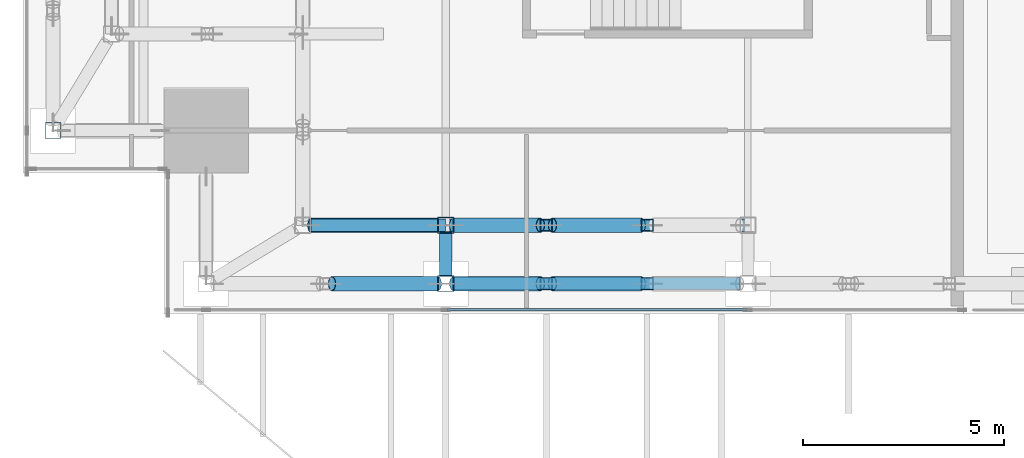
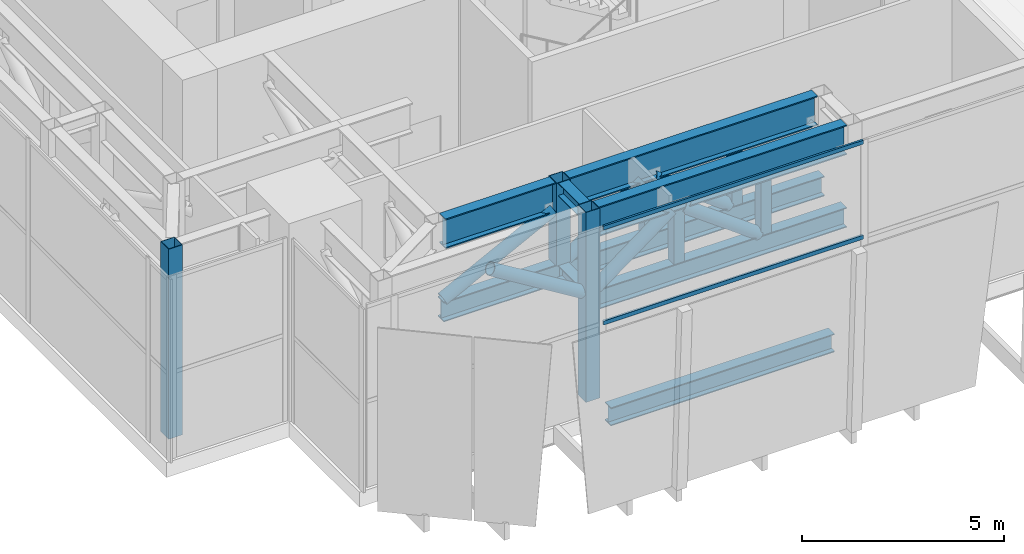
# One storey, part 3 of 47: 21 members, 3 beams, 1 element without a shape of its own.
"""IFC4 building model written with IfcOpenShell, lengths in metres."""

from ifc_helpers import new_model, si_unit, direction, frame, origin, origin_2d, place, context, subcontext, project, spatial, hollow_rectangle, hollow_circle, i_section, extrude, source, transform, mapped, material, material_profile, profile_set, type_object, element, aggregate, save


model = new_model("IFC4")

# Units and contexts
model_context = context("Model", 3, precision=1e-05, world=origin(), true_north=direction((0.0, 1.0)))
body_context = subcontext(model_context, "Body", "Model", "MODEL_VIEW")
ifc_project = project(units=[si_unit("LENGTHUNIT", "METRE"), si_unit("AREAUNIT", "SQUARE_METRE"), si_unit("VOLUMEUNIT", "CUBIC_METRE"), si_unit("PLANEANGLEUNIT", "RADIAN"), si_unit("MASSUNIT", "GRAM", prefix="KILO")], contexts=[model_context])

# Site, building, storey
site_placement = place(None, origin())
site = spatial("IfcSite", under=ifc_project, at=site_placement, CompositionType="ELEMENT")
building_placement = place(site_placement, origin())
building = spatial("IfcBuilding", under=site, at=building_placement, Name="Khomas Fold Tower", CompositionType="ELEMENT")
storey_placement = place(building_placement, frame((0.0, 0.0, 158.699951171875)))
storey = spatial("IfcBuildingStorey", under=building, at=storey_placement, Name="L34", CompositionType="ELEMENT", Elevation=158.699951171875)

# Beam
ifc_material_1 = material(Name="Steel S355", Category="steel")
ifc_material_profile_1 = material_profile(ifc_material_1, i_section(OverallWidth=0.300048828125, OverallDepth=0.550048828125, WebThickness=0.014892578125, FlangeThickness=0.029052734375, at=origin_2d()), Name="HE 550 B")
ifc_profile_set_1 = profile_set([ifc_material_profile_1], Name="Steel S355")
beam_type_1 = type_object("IfcBeamType", Name="HE 550 B spandrel SB2", PredefinedType="SPANDREL", material=ifc_profile_set_1)
shared_shape_1 = source(origin(), body_context, "Body", "SweptSolid", [
    extrude(i_section(OverallWidth=0.300048828125, OverallDepth=0.550048828125, WebThickness=0.014892578125, FlangeThickness=0.029052734375, at=origin_2d()), origin(), (0.0, 0.0, 1.0), 6.39990234375),
])
beam_1_placement = place(storey_placement, frame((12.550048828125, 2.25, -0.724853515625), z_axis=(1.0, 0.0, 0.0), x_axis=(0.0, 1.0, 0.0)))
element("IfcBeam", 1, at=beam_1_placement, inside=storey, type_object=beam_type_1, Name="SB2", PredefinedType="SPANDREL", context=body_context, shape_type="MappedRepresentation", body=[
    mapped(shared_shape_1, transform((0.0, 0.0, 0.0))),
])

# Members
ifc_material_2 = material(Name="Steel S355", Category="steel")
ifc_material_profile_2 = material_profile(ifc_material_2, hollow_circle(Radius=0.177734375, WallThickness=0.01611328125, at=origin_2d()), Name="CHS 355.6x16")
ifc_profile_set_2 = profile_set([ifc_material_profile_2], Name="Steel S355")
member_type_1 = type_object("IfcMemberType", Name="BELT TRUSS 2 DIAGONAL CHS 355.6x16", PredefinedType="BRACE", material=ifc_profile_set_2)
shared_shape_2 = source(origin(), body_context, "Body", "SweptSolid", [
    extrude(hollow_circle(Radius=0.177734375, WallThickness=0.01611328125, at=origin_2d()), origin(), (0.0, 0.0, 1.0), 3.079345703125),
])
member_1_placement = place(storey_placement, frame((9.175048828125, 2.25, 4.85498046875), z_axis=(0.852457646083, 0.0, -0.522796290762), x_axis=(0.0, 1.0, 0.0)))
element("IfcMember", 2, at=member_1_placement, inside=storey, type_object=member_type_1, Name="BT2-D", PredefinedType="BRACE", context=body_context, shape_type="MappedRepresentation", body=[
    mapped(shared_shape_2, transform((0.0, 0.0, 0.0))),
])
ifc_material_3 = material(Name="Steel S355", Category="steel")
ifc_material_profile_3 = material_profile(ifc_material_3, hollow_rectangle(XDim=0.300048828125, YDim=0.300048828125, WallThickness=0.012451171875, at=origin_2d()), Name="SHS 300x300x12.5")
ifc_profile_set_3 = profile_set([ifc_material_profile_3], Name="Steel S355")
member_type_2 = type_object("IfcMemberType", Name="BELT TRUSS 2 MID POST SHS 300x300x12.5", PredefinedType="POST", material=ifc_profile_set_3)
shared_shape_3 = source(origin(), body_context, "Body", "SweptSolid", [
    extrude(hollow_rectangle(XDim=0.300048828125, YDim=0.300048828125, WallThickness=0.012451171875, at=origin_2d()), origin(), (0.0, 0.0, 1.0), 1.60009765625),
])
for number, where, z_axis, x_axis, name in (
    (3, (14.5, 2.25, 3.25), (0.0, 0.0, 1.0), (1.0, 0.0, 0.0), "BT2-M"),
    (4, (17.0, 2.25, 3.25), (0.0, 0.0, 1.0), (1.0, 0.0, 0.0), "BT2-M"),
    (5, (14.5, 3.699951171875, 3.25), (0.0, 0.0, 1.0), (1.0, 0.0, 0.0), "BT2-M"),
    (6, (17.0, 3.699951171875, 3.25), (0.0, 0.0, 1.0), (1.0, 0.0, 0.0), "BT2-M"),
):
    element("IfcMember", number, at=place(storey_placement, frame(where, z_axis=z_axis, x_axis=x_axis)), inside=storey, type_object=member_type_2, Name=name, PredefinedType="POST", context=body_context, shape_type="MappedRepresentation", body=[
        mapped(shared_shape_3, transform((0.0, 0.0, 0.0))),
    ])
ifc_material_4 = material(Name="Steel S460M", Category="steel")
ifc_material_profile_4 = material_profile(ifc_material_4, i_section(OverallWidth=0.300048828125, OverallDepth=0.89990234375, WebThickness=0.0185546875, FlangeThickness=0.034912109375, at=origin_2d()), Name="HE 900 B")
ifc_profile_set_4 = profile_set([ifc_material_profile_4], Name="Steel S460M")
member_type_3 = type_object("IfcMemberType", Name="BELT TRUSS 2 TOP CHORD HE 900 B", PredefinedType="CHORD", material=ifc_profile_set_4)
shared_shape_4 = source(origin(), body_context, "Body", "SweptSolid", [
    extrude(i_section(OverallWidth=0.300048828125, OverallDepth=0.89990234375, WebThickness=0.0185546875, FlangeThickness=0.034912109375, at=origin_2d()), origin(), (0.0, 0.0, 1.0), 7.10009765625),
])
for number, where, z_axis, x_axis, name in (
    (7, (12.199951171875, 2.25, 5.300048828125), (1.0, 0.0, 0.0), (0.0, 1.0, 0.0), "BT2-CT"),
    (8, (12.199951171875, 3.699951171875, 5.300048828125), (1.0, 0.0, 0.0), (0.0, 1.0, 0.0), "BT2-CT"),
):
    element("IfcMember", number, at=place(storey_placement, frame(where, z_axis=z_axis, x_axis=x_axis)), inside=storey, type_object=member_type_3, Name=name, PredefinedType="CHORD", context=body_context, shape_type="MappedRepresentation", body=[
        mapped(shared_shape_4, transform((0.0, 0.0, 0.0))),
    ])
ifc_material_5 = material(Name="Steel S355", Category="steel")
ifc_material_profile_5 = material_profile(ifc_material_5, i_section(OverallWidth=0.300048828125, OverallDepth=0.60009765625, WebThickness=0.015380859375, FlangeThickness=0.030029296875, at=origin_2d()), Name="HE 600 B")
ifc_profile_set_5 = profile_set([ifc_material_profile_5], Name="Steel S355")
member_type_4 = type_object("IfcMemberType", Name="BELT TRUSS 2 BOTTOM CHORD HE 600 B", PredefinedType="CHORD", material=ifc_profile_set_5)
shared_shape_5 = source(origin(), body_context, "Body", "SweptSolid", [
    extrude(i_section(OverallWidth=0.300048828125, OverallDepth=0.60009765625, WebThickness=0.015380859375, FlangeThickness=0.030029296875, at=origin_2d()), origin(), (0.0, 0.0, 1.0), 7.10009765625),
])
member_2_placement = place(storey_placement, frame((12.199951171875, 2.25, 2.949951171875), z_axis=(1.0, 0.0, 0.0), x_axis=(0.0, 1.0, 0.0)))
element("IfcMember", 9, at=member_2_placement, inside=storey, type_object=member_type_4, Name="BT2-CB", PredefinedType="CHORD", context=body_context, shape_type="MappedRepresentation", body=[
    mapped(shared_shape_5, transform((0.0, 0.0, 0.0))),
])
shared_shape_6 = source(origin(), body_context, "Body", "SweptSolid", [
    extrude(hollow_circle(Radius=0.177734375, WallThickness=0.01611328125, at=origin_2d()), origin(), (0.0, 0.0, 1.0), 2.68603515625),
])
for number, where, z_axis, x_axis, name in (
    (10, (12.199951171875, 2.25, 3.2451171875), (0.800490552016, 0.0, 0.599345372998), (0.0, 1.0, 0.0), "BT2-D"),
    (11, (12.199951171875, 3.699951171875, 3.2451171875), (0.800490552016, 0.0, 0.599345372998), (0.0, 1.0, 0.0), "BT2-D"),
):
    element("IfcMember", number, at=place(storey_placement, frame(where, z_axis=z_axis, x_axis=x_axis)), inside=storey, type_object=member_type_1, Name=name, PredefinedType="BRACE", context=body_context, shape_type="MappedRepresentation", body=[
        mapped(shared_shape_6, transform((0.0, 0.0, 0.0))),
    ])
shared_shape_7 = source(origin(), body_context, "Body", "SweptSolid", [
    extrude(hollow_circle(Radius=0.177734375, WallThickness=0.01611328125, at=origin_2d()), origin(), (0.0, 0.0, 1.0), 2.726318359375),
])
for number, where, z_axis, x_axis, name in (
    (12, (14.64990234375, 2.25, 4.85498046875), (0.80703657096, 0.0, -0.590501459044), (0.0, 1.0, 0.0), "BT2-D"),
    (13, (14.64990234375, 3.699951171875, 4.85498046875), (0.80703657096, 0.0, -0.590501459044), (0.0, 1.0, 0.0), "BT2-D"),
):
    element("IfcMember", number, at=place(storey_placement, frame(where, z_axis=z_axis, x_axis=x_axis)), inside=storey, type_object=member_type_1, Name=name, PredefinedType="BRACE", context=body_context, shape_type="MappedRepresentation", body=[
        mapped(shared_shape_7, transform((0.0, 0.0, 0.0))),
    ])
ifc_material_6 = material(Name="Steel S460M", Category="steel")
ifc_material_profile_6 = material_profile(ifc_material_6, i_section(OverallWidth=0.300048828125, OverallDepth=0.89990234375, WebThickness=0.0185546875, FlangeThickness=0.034912109375, at=origin_2d()), Name="HE 900 B")
ifc_profile_set_6 = profile_set([ifc_material_profile_6], Name="Steel S460M")
member_type_5 = type_object("IfcMemberType", Name="BELT TRUSS 2 TOP CHORD SHORT HE 900 B", PredefinedType="CHORD", material=ifc_profile_set_6)
shared_shape_8 = source(origin(), body_context, "Body", "SweptSolid", [
    extrude(i_section(OverallWidth=0.300048828125, OverallDepth=0.89990234375, WebThickness=0.0185546875, FlangeThickness=0.034912109375, at=origin_2d()), origin(), (0.0, 0.0, 1.0), 3.150146484375),
])
member_3_placement = place(storey_placement, frame((8.64990234375, 3.699951171875, 5.300048828125), z_axis=(1.0, 0.0, 0.0), x_axis=(0.0, 1.0, 0.0)))
element("IfcMember", 14, at=member_3_placement, inside=storey, type_object=member_type_5, Name="BT2-CTS", PredefinedType="CHORD", context=body_context, shape_type="MappedRepresentation", body=[
    mapped(shared_shape_8, transform((0.0, 0.0, 0.0))),
])
ifc_material_7 = material(Name="Steel S355", Category="steel")
ifc_material_profile_7 = material_profile(ifc_material_7, i_section(OverallWidth=0.300048828125, OverallDepth=0.60009765625, WebThickness=0.015380859375, FlangeThickness=0.030029296875, at=origin_2d()), Name="HE 600 B")
ifc_profile_set_7 = profile_set([ifc_material_profile_7], Name="Steel S355")
member_type_6 = type_object("IfcMemberType", Name="BELT TRUSS 2 BOTTOM CHORD SHORTER HE 600 B", PredefinedType="CHORD", material=ifc_profile_set_7)
shared_shape_9 = source(origin(), body_context, "Body", "SweptSolid", [
    extrude(i_section(OverallWidth=0.300048828125, OverallDepth=0.60009765625, WebThickness=0.015380859375, FlangeThickness=0.030029296875, at=origin_2d()), origin(), (0.0, 0.0, 1.0), 3.39990234375),
])
member_4_placement = place(storey_placement, frame((8.60009765625, 3.699951171875, 2.949951171875), z_axis=(1.0, 0.0, 0.0), x_axis=(0.0, 1.0, 0.0)))
element("IfcMember", 15, at=member_4_placement, inside=storey, type_object=member_type_6, Name="BT2-CBSS", PredefinedType="CHORD", context=body_context, shape_type="MappedRepresentation", body=[
    mapped(shared_shape_9, transform((0.0, 0.0, 0.0))),
])
shared_shape_10 = source(origin(), body_context, "Body", "SweptSolid", [
    extrude(hollow_circle(Radius=0.177734375, WallThickness=0.01611328125, at=origin_2d()), origin(), (0.0, 0.0, 1.0), 3.53759765625),
])
member_5_placement = place(storey_placement, frame((8.64990234375, 3.699951171875, 3.2451171875), z_axis=(0.890458918819, 0.0, 0.455063637193), x_axis=(0.0, 1.0, 0.0)))
element("IfcMember", 16, at=member_5_placement, inside=storey, type_object=member_type_1, Name="BT2-D", PredefinedType="BRACE", context=body_context, shape_type="MappedRepresentation", body=[
    mapped(shared_shape_10, transform((0.0, 0.0, 0.0))),
])
shared_shape_11 = source(origin(), body_context, "Body", "SweptSolid", [
    extrude(i_section(OverallWidth=0.300048828125, OverallDepth=0.60009765625, WebThickness=0.015380859375, FlangeThickness=0.030029296875, at=origin_2d()), origin(), (0.0, 0.0, 1.0), 7.5),
])
member_6_placement = place(storey_placement, frame((12.0, 3.699951171875, 2.949951171875), z_axis=(1.0, 0.0, 0.0), x_axis=(0.0, 1.0, 0.0)))
element("IfcMember", 17, at=member_6_placement, inside=storey, type_object=member_type_4, Name="BT2-CB", PredefinedType="CHORD", context=body_context, shape_type="MappedRepresentation", body=[
    mapped(shared_shape_11, transform((0.0, 0.0, 0.0))),
])
ifc_material_8 = material(Name="Steel S460M", Category="steel")
ifc_material_profile_8 = material_profile(ifc_material_8, hollow_rectangle(XDim=0.39990234375, YDim=0.39990234375, WallThickness=0.01611328125, at=origin_2d()), Name="SHS 400x400x16")
ifc_profile_set_8 = profile_set([ifc_material_profile_8], Name="Steel S460M")
member_type_7 = type_object("IfcMemberType", Name="BELT TRUSS 2 COLUMN POST SHS 400x400x16", PredefinedType="POST", material=ifc_profile_set_8)
shared_shape_12 = source(origin(), body_context, "Body", "SweptSolid", [
    extrude(hollow_rectangle(XDim=0.39990234375, YDim=0.39990234375, WallThickness=0.01611328125, at=origin_2d()), origin(), (0.0, 0.0, 1.0), 5.75),
])
for number, where, z_axis, x_axis, name in (
    (18, (12.0, 2.25, 0.0), (0.0, 0.0, 1.0), (1.0, 0.0, 0.0), "BT2-P"),
    (19, (2.25, 6.050048828125, 0.0), (0.0, 0.0, 1.0), (1.0, 0.0, 0.0), "BT2-P"),
):
    element("IfcMember", number, at=place(storey_placement, frame(where, z_axis=z_axis, x_axis=x_axis)), inside=storey, type_object=member_type_7, Name=name, PredefinedType="POST", context=body_context, shape_type="MappedRepresentation", body=[
        mapped(shared_shape_12, transform((0.0, 0.0, 0.0))),
    ])
ifc_material_9 = material(Name="Steel S460M", Category="steel")
ifc_material_profile_9 = material_profile(ifc_material_9, hollow_rectangle(XDim=0.39990234375, YDim=0.39990234375, WallThickness=0.01611328125, at=origin_2d()), Name="SHS 400x400x16")
ifc_profile_set_9 = profile_set([ifc_material_profile_9], Name="Steel S460M")
member_type_8 = type_object("IfcMemberType", Name="BELT TRUSS 2 COLUMN POST SHORT SHS 400x400x16", PredefinedType="POST", material=ifc_profile_set_9)
shared_shape_13 = source(origin(), body_context, "Body", "SweptSolid", [
    extrude(hollow_rectangle(XDim=0.39990234375, YDim=0.39990234375, WallThickness=0.01611328125, at=origin_2d()), origin(), (0.0, 0.0, 1.0), 2.5),
])
member_7_placement = place(storey_placement, frame((12.0, 3.699951171875, 3.25), z_axis=(0.0, 0.0, 1.0), x_axis=(1.0, 0.0, 0.0)))
element("IfcMember", 20, at=member_7_placement, inside=storey, type_object=member_type_8, Name="BT2-PS", PredefinedType="POST", context=body_context, shape_type="MappedRepresentation", body=[
    mapped(shared_shape_13, transform((0.0, 0.0, 0.0))),
])

# Beams
ifc_material_10 = material(Name="Steel S355", Category="steel")
ifc_material_profile_10 = material_profile(ifc_material_10, i_section(OverallWidth=0.300048828125, OverallDepth=0.39990234375, WebThickness=0.013427734375, FlangeThickness=0.02392578125, at=origin_2d()), Name="HE 400 B")
ifc_profile_set_10 = profile_set([ifc_material_profile_10], Name="Steel S355")
beam_type_2 = type_object("IfcBeamType", Name="BELT TRUSS 2 TOP STRUT HE 400 B", PredefinedType="BEAM", material=ifc_profile_set_10)
shared_shape_14 = source(origin(), body_context, "Body", "SweptSolid", [
    extrude(i_section(OverallWidth=0.300048828125, OverallDepth=0.39990234375, WebThickness=0.013427734375, FlangeThickness=0.02392578125, at=origin_2d()), origin(), (0.0, 0.0, 1.0), 1.050048828125),
])
beam_2_placement = place(storey_placement, frame((12.0, 3.5, 5.550048828125), z_axis=(0.0, -1.0, 0.0), x_axis=(1.0, 0.0, 0.0)))
element("IfcBeam", 21, at=beam_2_placement, inside=storey, type_object=beam_type_2, Name="BT2-ST", PredefinedType="BEAM", context=body_context, shape_type="MappedRepresentation", body=[
    mapped(shared_shape_14, transform((0.0, 0.0, 0.0))),
])
ifc_material_11 = material(Name="Steel S355", Category="steel")
ifc_material_profile_11 = material_profile(ifc_material_11, i_section(OverallWidth=0.300048828125, OverallDepth=0.39990234375, WebThickness=0.013427734375, FlangeThickness=0.02392578125, at=origin_2d()), Name="HE 400 B")
ifc_profile_set_11 = profile_set([ifc_material_profile_11], Name="Steel S355")
beam_type_3 = type_object("IfcBeamType", Name="BELT TRUSS 2 BOTTOM STRUT HE 400 B", PredefinedType="BEAM", material=ifc_profile_set_11)
shared_shape_15 = source(origin(), body_context, "Body", "SweptSolid", [
    extrude(i_section(OverallWidth=0.300048828125, OverallDepth=0.39990234375, WebThickness=0.013427734375, FlangeThickness=0.02392578125, at=origin_2d()), origin(), (0.0, 0.0, 1.0), 1.10009765625),
])
beam_3_placement = place(storey_placement, frame((12.0, 3.550048828125, 3.050048828125), z_axis=(0.0, -1.0, 0.0), x_axis=(1.0, 0.0, 0.0)))
element("IfcBeam", 22, at=beam_3_placement, inside=storey, type_object=beam_type_3, Name="BT2-SB", PredefinedType="BEAM", context=body_context, shape_type="MappedRepresentation", body=[
    mapped(shared_shape_15, transform((0.0, 0.0, 0.0))),
])

# Curtain wall, members
ifc_material_12 = material(Name="Aluminium framed double glazing", Category="aluminium")
curtain_wall_type = type_object("IfcCurtainWallType", Name="SK-Unitised clear-glass wall, growing floors CW1", PredefinedType="NOTDEFINED", material=ifc_material_12)
curtain_wall_placement = place(storey_placement, origin())
curtain_wall = element("IfcCurtainWall", 23, at=curtain_wall_placement, inside=storey, type_object=curtain_wall_type, Name="CW1 run L34 01-0", PredefinedType="NOTDEFINED")
ifc_material_13 = material(Name="Aluminium", Category="aluminium")
ifc_material_profile_12 = material_profile(ifc_material_13, hollow_rectangle(XDim=0.06005859375, YDim=0.1201171875, WallThickness=0.00390625, at=origin_2d()), Name="SK-Unitised clear-glass wall, growing floors transom CW1-T")
ifc_profile_set_12 = profile_set([ifc_material_profile_12], Name="Aluminium")
member_type_9 = type_object("IfcMemberType", Name="SK-Unitised clear-glass wall, growing floors transom CW1-T", PredefinedType="USERDEFINED", material=ifc_profile_set_12)
shared_shape_16 = source(origin(), body_context, "Body", "SweptSolid", [
    extrude(hollow_rectangle(XDim=0.06005859375, YDim=0.1201171875, WallThickness=0.00390625, at=origin_2d()), origin(), (0.0, 0.0, 1.0), 7.43994140625),
])
member_8_placement = place(storey_placement, frame((12.030029296875, 1.60009765625, 5.489990234375), z_axis=(1.0, 0.0, 0.0), x_axis=(0.0, 1.0, 0.0)))
member_8 = element("IfcMember", 24, at=member_8_placement, type_object=member_type_9, Name="CW1 transom 3", ObjectType="TRANSOM", PredefinedType="USERDEFINED", context=body_context, shape_type="MappedRepresentation", body=[
    mapped(shared_shape_16, transform((0.0, 0.0, 0.0))),
])
member_9_placement = place(storey_placement, frame((12.030029296875, 1.60009765625, 2.6171875), z_axis=(1.0, 0.0, 0.0), x_axis=(0.0, 1.0, 0.0)))
member_9 = element("IfcMember", 25, at=member_9_placement, type_object=member_type_9, Name="CW1 transom 3 (truss floor)", ObjectType="TRANSOM", PredefinedType="USERDEFINED", context=body_context, shape_type="MappedRepresentation", body=[
    mapped(shared_shape_16, transform((0.0, 0.0, 0.0))),
])
aggregate(curtain_wall, [member_8, member_9])

save(model, "model.ifc")
